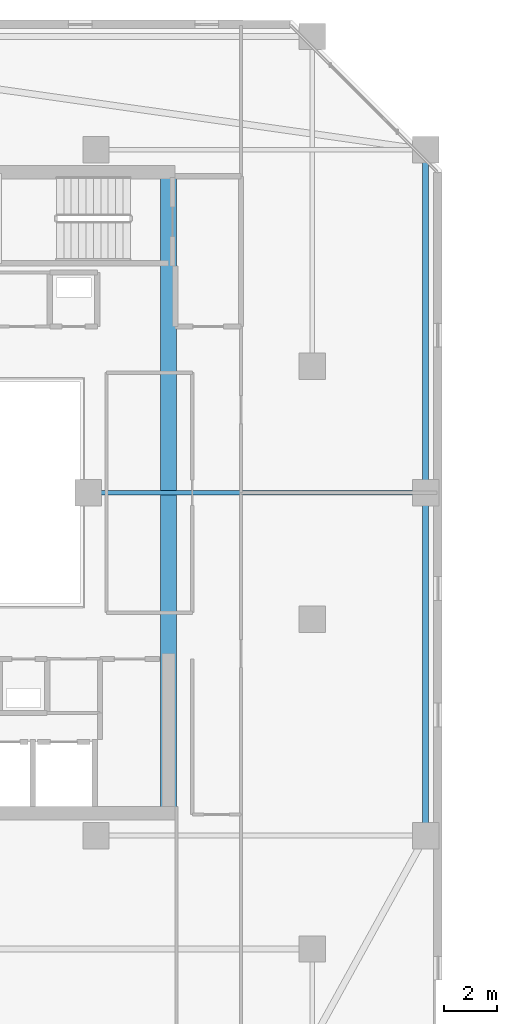
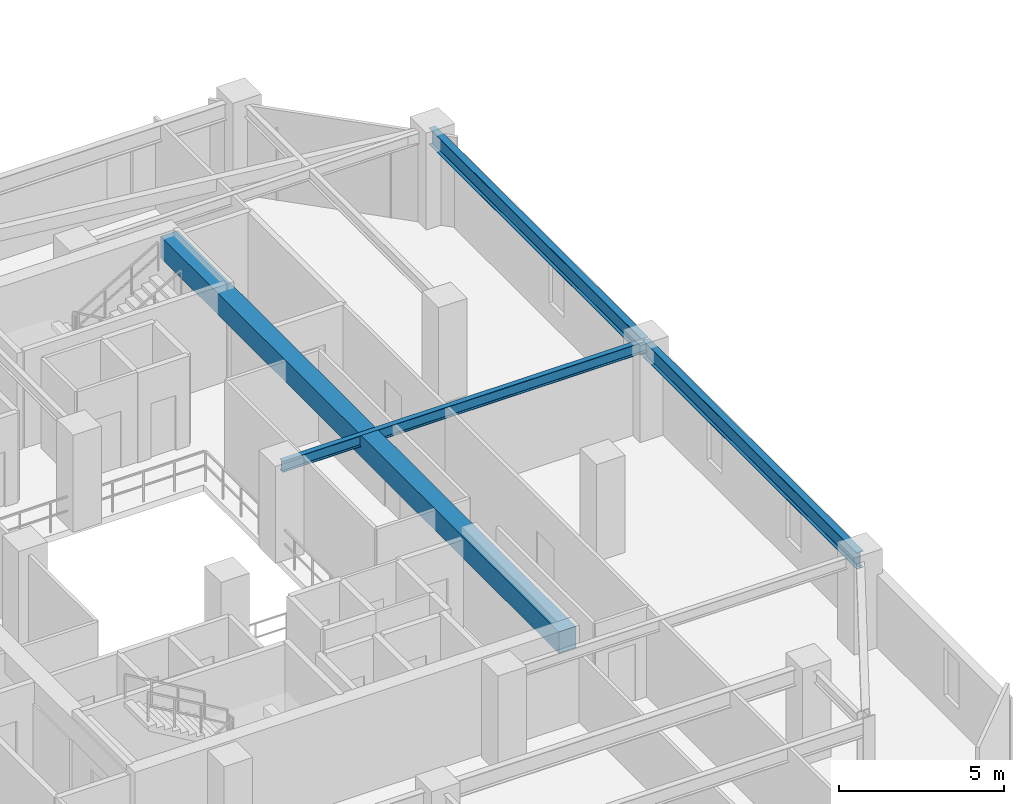
# One storey, part 6 of 31: 4 beams.
"""IFC4 building model written with IfcOpenShell, lengths in metres."""

from ifc_helpers import new_model, si_unit, direction, frame, origin, origin_2d, place, context, subcontext, project, spatial, rectangle, i_section, extrude, material, material_profile, profile_set, type_object, element, save


model = new_model("IFC4")

# Units and contexts
model_context = context("Model", 3, precision=1e-05, world=origin(), true_north=direction((0.0, 1.0)))
body_context = subcontext(model_context, "Body", "Model", "MODEL_VIEW")
ifc_project = project(units=[si_unit("LENGTHUNIT", "METRE"), si_unit("AREAUNIT", "SQUARE_METRE"), si_unit("VOLUMEUNIT", "CUBIC_METRE"), si_unit("PLANEANGLEUNIT", "RADIAN"), si_unit("MASSUNIT", "GRAM", prefix="KILO")], contexts=[model_context])

# Site, building, storey
site_placement = place(None, origin())
site = spatial("IfcSite", under=ifc_project, at=site_placement, CompositionType="ELEMENT")
building_placement = place(site_placement, origin())
building = spatial("IfcBuilding", under=site, at=building_placement, Name="Thornwick Lancets Civic Towers", CompositionType="ELEMENT")
storey_placement = place(building_placement, frame((0.0, 0.0, 236.699951171875)))
storey = spatial("IfcBuildingStorey", under=building, at=storey_placement, Name="L63", CompositionType="ELEMENT", Elevation=236.699951171875)

# Beams
ifc_material_1 = material(Name="Concrete C60/75", Category="concrete")
ifc_material_profile_1 = material_profile(ifc_material_1, rectangle(XDim=0.60009765625, YDim=0.800048828125, at=origin_2d()), Name="RC 600x800")
ifc_profile_set_1 = profile_set([ifc_material_profile_1], Name="Concrete C60/75")
beam_type_1 = type_object("IfcBeamType", Name="BM_COUP_RC800", PredefinedType="BEAM", material=ifc_profile_set_1)
beam_1_placement = place(storey_placement, frame((33.050048828125, 14.89990234375, 2.9599609375), z_axis=(0.0, 1.0, 0.0), x_axis=(-1.0, 0.0, 0.0)))
element("IfcBeam", 1, at=beam_1_placement, inside=storey, type_object=beam_type_1, Name="CB-L63-A1", PredefinedType="BEAM", context=body_context, shape_type="SweptSolid", body=[
    extrude(rectangle(XDim=0.60009765625, YDim=0.800048828125, at=origin_2d()), origin(), (0.0, 0.0, 1.0), 24.2001953125),
])
ifc_material_2 = material(Name="Steel S355JR", Category="steel")
ifc_material_profile_2 = material_profile(ifc_material_2, i_section(OverallWidth=0.230224609375, OverallDepth=0.6171875, WebThickness=0.01318359375, FlangeThickness=0.022216796875, FilletRadius=0.0126953125, at=origin_2d()), Name="UKB 610x229x140")
ifc_profile_set_2 = profile_set([ifc_material_profile_2], Name="Steel S355JR")
beam_type_2 = type_object("IfcBeamType", Name="BM_GIRD_610_140", PredefinedType="BEAM", material=ifc_profile_set_2)
beam_2_placement = place(storey_placement, frame((42.800048828125, 14.0, 3.051513671875), z_axis=(0.0, 1.0, 0.0), x_axis=(-1.0, 0.0, 0.0)))
element("IfcBeam", 2, at=beam_2_placement, inside=storey, type_object=beam_type_2, Name="BM-SPINE-L63-A-3-4", PredefinedType="BEAM", context=body_context, shape_type="SweptSolid", body=[
    extrude(i_section(OverallWidth=0.230224609375, OverallDepth=0.6171875, WebThickness=0.01318359375, FlangeThickness=0.022216796875, FilletRadius=0.0126953125, at=origin_2d()), origin(), (0.0, 0.0, 1.0), 13.0),
])
beam_3_placement = place(storey_placement, frame((42.800048828125, 27.080078125, 3.051513671875), z_axis=(0.0, 1.0, 0.0), x_axis=(-1.0, 0.0, 0.0)))
element("IfcBeam", 3, at=beam_3_placement, inside=storey, type_object=beam_type_2, Name="BM-SPINE-L63-A-4-5", PredefinedType="BEAM", context=body_context, shape_type="SweptSolid", body=[
    extrude(i_section(OverallWidth=0.230224609375, OverallDepth=0.6171875, WebThickness=0.01318359375, FlangeThickness=0.022216796875, FilletRadius=0.0126953125, at=origin_2d()), origin(), (0.0, 0.0, 1.0), 12.919921875),
])
ifc_material_profile_3 = material_profile(ifc_material_2, i_section(OverallWidth=0.179443359375, OverallDepth=0.412841796875, WebThickness=0.009521484375, FlangeThickness=0.01611328125, FilletRadius=0.01025390625, at=origin_2d()), Name="UKB 406x178x74")
ifc_profile_set_3 = profile_set([ifc_material_profile_3], Name="Steel S355JR")
beam_type_3 = type_object("IfcBeamType", Name="BM_JOIST_406_74", PredefinedType="JOIST", material=ifc_profile_set_3)
beam_4_placement = place(storey_placement, frame((30.0, 27.0, 3.153564453125), z_axis=(1.0, 0.0, 0.0), x_axis=(0.0, 1.0, 0.0)))
element("IfcBeam", 4, at=beam_4_placement, inside=storey, type_object=beam_type_3, Name="BM-RADIN-L63-A05", PredefinedType="JOIST", context=body_context, shape_type="SweptSolid", body=[
    extrude(i_section(OverallWidth=0.179443359375, OverallDepth=0.412841796875, WebThickness=0.009521484375, FlangeThickness=0.01611328125, FilletRadius=0.01025390625, at=origin_2d()), origin(), (0.0, 0.0, 1.0), 12.800048828125),
])

save(model, "model.ifc")
